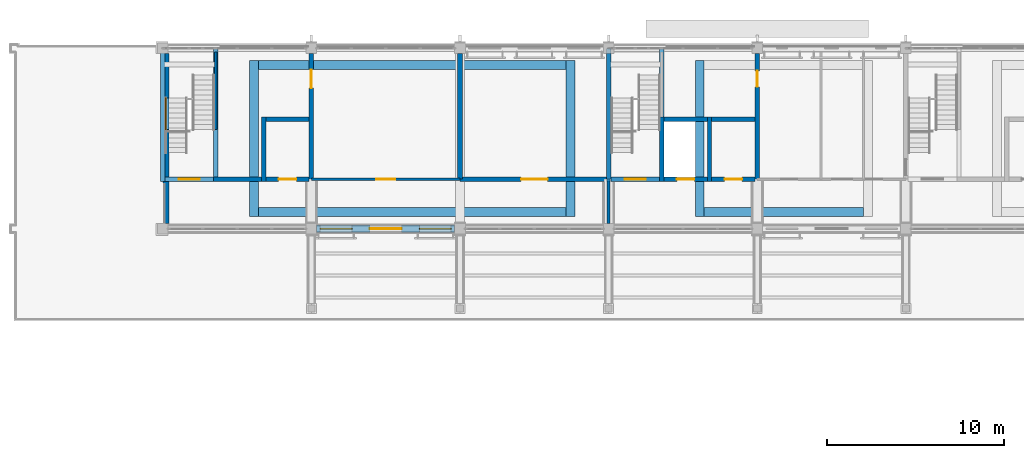
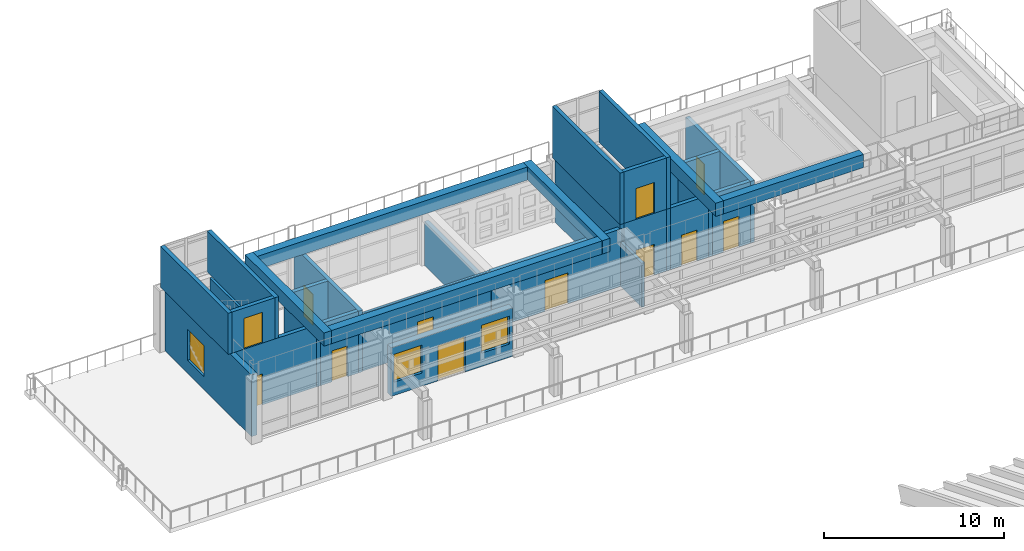
# One storey, part 58 of 105: 33 walls, 12 doors, 3 windows, 15 openings.
"""IFC4 building model written with IfcOpenShell, lengths in metres."""

from ifc_helpers import new_model, si_unit, direction, frame, frame_2d, origin, place, context, subcontext, project, spatial, rectangle, extrude, material, layer, layer_set, type_object, element, fill, save


model = new_model("IFC4")

# Units and contexts
model_context = context("Model", 3, precision=1e-05, world=origin(), true_north=direction((0.0, 1.0)))
body_context = subcontext(model_context, "Body", "Model", "MODEL_VIEW")
ifc_project = project(units=[si_unit("LENGTHUNIT", "METRE"), si_unit("AREAUNIT", "SQUARE_METRE"), si_unit("VOLUMEUNIT", "CUBIC_METRE"), si_unit("PLANEANGLEUNIT", "RADIAN"), si_unit("MASSUNIT", "GRAM", prefix="KILO")], contexts=[model_context])

# Site, building, storey
site_placement = place(None, origin())
site = spatial("IfcSite", under=ifc_project, at=site_placement, CompositionType="ELEMENT")
building_placement = place(site_placement, origin())
building = spatial("IfcBuilding", under=site, at=building_placement, Name="Wasatch Bagh Community Centre", CompositionType="ELEMENT")
storey_placement = place(building_placement, frame((0.0, 0.0, 16.800048828125)))
storey = spatial("IfcBuildingStorey", under=building, at=storey_placement, Name="L04", CompositionType="ELEMENT", Elevation=16.800048828125)

# Wall, opening, door
ifc_material_1 = material(Name="Concrete C40", Category="concrete")
ifc_layer_1 = layer(ifc_material_1, 0.25)
ifc_layer_set_1 = layer_set([ifc_layer_1], Name="Concrete C40")
wall_type_1 = type_object("IfcWallType", Name="LW core wall 250", PredefinedType="SHEAR", material=ifc_layer_set_1)
wall_1_placement = place(storey_placement, frame((81.14990234375, 90.39990234375, 0.0), z_axis=(0.0, 0.0, 1.0), x_axis=(1.0, 0.0, 0.0)))
wall_1 = element("IfcWall", 1, at=wall_1_placement, inside=storey, type_object=wall_type_1, Name="LW.swall.L04.01", PredefinedType="SHEAR", context=body_context, shape_type="SweptSolid", body=[
    extrude(rectangle(XDim=5.22509765625, YDim=0.25, at=frame_2d((2.612548828125, 0.0))), origin(), (0.0, 0.0, 1.0), 4.199951171875),
])
opening_1_placement = place(wall_1_placement, frame((0.550048828125, 0.0, 0.0)))
opening_1 = element("IfcOpeningElement", 2, at=opening_1_placement, cuts=wall_1, Name="Opening 4L-11", PredefinedType="OPENING", context=body_context, shape_type="SweptSolid", body=[
    extrude(rectangle(XDim=1.199951171875, YDim=2.10009765625, at=frame_2d((0.60009765625, 1.050048828125))), frame((0.0, 0.135009765625, 0.0), z_axis=(0.0, -1.0, 0.0), x_axis=(1.0, 0.0, 0.0)), (0.0, 0.0, 1.0), 0.27001953125),
])
ifc_material_2 = material(Name="Painted timber", Category="wood")
door_type_1 = type_object("IfcDoorType", Name="LW stair door 1200x2100", OperationType="SINGLE_SWING_LEFT", PredefinedType="DOOR", material=ifc_material_2)
door_1_placement = place(opening_1_placement, origin())
door_1 = element("IfcDoor", 3, at=door_1_placement, inside=storey, type_object=door_type_1, Name="Stair door 4L-11", OperationType="SINGLE_SWING_LEFT", OverallHeight=2.10009765625, OverallWidth=1.199951171875, PredefinedType="DOOR", context=body_context, shape_type="SweptSolid", body=[
    extrude(rectangle(XDim=1.199951171875, YDim=2.10009765625, at=frame_2d((0.60009765625, 1.050048828125))), frame((0.0, 0.02490234375, 0.0), z_axis=(0.0, -1.0, 0.0), x_axis=(1.0, 0.0, 0.0)), (0.0, 0.0, 1.0), 0.050048828125),
])
fill(opening_1, door_1)

wall_2_placement = place(storey_placement, frame((86.625, 90.39990234375, 0.0), z_axis=(0.0, 0.0, 1.0), x_axis=(1.0, 0.0, 0.0)))
wall_2 = element("IfcWall", 4, at=wall_2_placement, inside=storey, type_object=wall_type_1, Name="LW.swall.L04.02", PredefinedType="SHEAR", context=body_context, shape_type="SweptSolid", body=[
    extrude(rectangle(XDim=2.449951171875, YDim=0.25, at=frame_2d((1.22509765625, 0.0))), origin(), (0.0, 0.0, 1.0), 4.199951171875),
])
opening_2_placement = place(wall_2_placement, frame((0.72509765625, 0.0, 0.0)))
opening_2 = element("IfcOpeningElement", 5, at=opening_2_placement, cuts=wall_2, Name="Opening 4L-12", PredefinedType="OPENING", context=body_context, shape_type="SweptSolid", body=[
    extrude(rectangle(XDim=1.0, YDim=2.10009765625, at=frame_2d((0.5, 1.050048828125))), frame((0.0, 0.135009765625, 0.0), z_axis=(0.0, -1.0, 0.0), x_axis=(1.0, 0.0, 0.0)), (0.0, 0.0, 1.0), 0.27001953125),
])
ifc_material_3 = material(Name="Stainless steel landing door", Category="steel")
door_type_2 = type_object("IfcDoorType", Name="Lift landing door 1000 x 2100", OperationType="SLIDING_TO_LEFT", PredefinedType="DOOR", material=ifc_material_3)
door_2_placement = place(opening_2_placement, origin())
door_2 = element("IfcDoor", 6, at=door_2_placement, inside=storey, type_object=door_type_2, Name="Lift landing door LD 4L-12", OperationType="SLIDING_TO_LEFT", OverallHeight=2.10009765625, OverallWidth=1.0, PredefinedType="DOOR", context=body_context, shape_type="SweptSolid", body=[
    extrude(rectangle(XDim=1.0, YDim=2.10009765625, at=frame_2d((0.5, 1.050048828125))), frame((0.0, 0.02490234375, 0.0), z_axis=(0.0, -1.0, 0.0), x_axis=(1.0, 0.0, 0.0)), (0.0, 0.0, 1.0), 0.050048828125),
])
fill(opening_2, door_2)

wall_3_placement = place(storey_placement, frame((106.125, 90.39990234375, 0.0), z_axis=(0.0, 0.0, 1.0), x_axis=(1.0, 0.0, 0.0)))
wall_3 = element("IfcWall", 7, at=wall_3_placement, inside=storey, type_object=wall_type_1, Name="LW.swall.L04.03", PredefinedType="SHEAR", context=body_context, shape_type="SweptSolid", body=[
    extrude(rectangle(XDim=2.75, YDim=0.25, at=frame_2d((1.375, 0.0))), origin(), (0.0, 0.0, 1.0), 4.199951171875),
])
opening_3_placement = place(wall_3_placement, frame((0.77490234375, 0.0, 0.0)))
opening_3 = element("IfcOpeningElement", 8, at=opening_3_placement, cuts=wall_3, Name="Opening 4L-13", PredefinedType="OPENING", context=body_context, shape_type="SweptSolid", body=[
    extrude(rectangle(XDim=1.199951171875, YDim=2.10009765625, at=frame_2d((0.60009765625, 1.050048828125))), frame((0.0, 0.135009765625, 0.0), z_axis=(0.0, -1.0, 0.0), x_axis=(1.0, 0.0, 0.0)), (0.0, 0.0, 1.0), 0.27001953125),
])
door_3_placement = place(opening_3_placement, origin())
door_3 = element("IfcDoor", 9, at=door_3_placement, inside=storey, type_object=door_type_1, Name="Stair door 4L-13", OperationType="SINGLE_SWING_LEFT", OverallHeight=2.10009765625, OverallWidth=1.199951171875, PredefinedType="DOOR", context=body_context, shape_type="SweptSolid", body=[
    extrude(rectangle(XDim=1.199951171875, YDim=2.10009765625, at=frame_2d((0.60009765625, 1.050048828125))), frame((0.0, 0.02490234375, 0.0), z_axis=(0.0, -1.0, 0.0), x_axis=(1.0, 0.0, 0.0)), (0.0, 0.0, 1.0), 0.050048828125),
])
fill(opening_3, door_3)

wall_4_placement = place(storey_placement, frame((109.125, 90.39990234375, 0.0), z_axis=(0.0, 0.0, 1.0), x_axis=(1.0, 0.0, 0.0)))
wall_4 = element("IfcWall", 10, at=wall_4_placement, inside=storey, type_object=wall_type_1, Name="LW.swall.L04.04", PredefinedType="SHEAR", context=body_context, shape_type="SweptSolid", body=[
    extrude(rectangle(XDim=2.449951171875, YDim=0.25, at=frame_2d((1.22509765625, 0.0))), origin(), (0.0, 0.0, 1.0), 4.199951171875),
])
opening_4_placement = place(wall_4_placement, frame((0.72509765625, 0.0, 0.0)))
opening_4 = element("IfcOpeningElement", 11, at=opening_4_placement, cuts=wall_4, Name="Opening 4L-14", PredefinedType="OPENING", context=body_context, shape_type="SweptSolid", body=[
    extrude(rectangle(XDim=1.0, YDim=2.10009765625, at=frame_2d((0.5, 1.050048828125))), frame((0.0, 0.135009765625, 0.0), z_axis=(0.0, -1.0, 0.0), x_axis=(1.0, 0.0, 0.0)), (0.0, 0.0, 1.0), 0.27001953125),
])
door_4_placement = place(opening_4_placement, origin())
door_4 = element("IfcDoor", 12, at=door_4_placement, inside=storey, type_object=door_type_2, Name="Lift landing door LD 4L-14", OperationType="SLIDING_TO_LEFT", OverallHeight=2.10009765625, OverallWidth=1.0, PredefinedType="DOOR", context=body_context, shape_type="SweptSolid", body=[
    extrude(rectangle(XDim=1.0, YDim=2.10009765625, at=frame_2d((0.5, 1.050048828125))), frame((0.0, 0.02490234375, 0.0), z_axis=(0.0, -1.0, 0.0), x_axis=(1.0, 0.0, 0.0)), (0.0, 0.0, 1.0), 0.050048828125),
])
fill(opening_4, door_4)

wall_5_placement = place(storey_placement, frame((111.824951171875, 90.39990234375, 0.0), z_axis=(0.0, 0.0, 1.0), x_axis=(1.0, 0.0, 0.0)))
wall_5 = element("IfcWall", 13, at=wall_5_placement, inside=storey, type_object=wall_type_1, Name="LW.swall.L04.05", PredefinedType="SHEAR", context=body_context, shape_type="SweptSolid", body=[
    extrude(rectangle(XDim=2.449951171875, YDim=0.25, at=frame_2d((1.22509765625, 0.0))), origin(), (0.0, 0.0, 1.0), 4.199951171875),
])
opening_5_placement = place(wall_5_placement, frame((0.72509765625, 0.0, 0.0)))
opening_5 = element("IfcOpeningElement", 14, at=opening_5_placement, cuts=wall_5, Name="Opening 4L-15", PredefinedType="OPENING", context=body_context, shape_type="SweptSolid", body=[
    extrude(rectangle(XDim=1.0, YDim=2.10009765625, at=frame_2d((0.5, 1.050048828125))), frame((0.0, 0.135009765625, 0.0), z_axis=(0.0, -1.0, 0.0), x_axis=(1.0, 0.0, 0.0)), (0.0, 0.0, 1.0), 0.27001953125),
])
door_5_placement = place(opening_5_placement, origin())
door_5 = element("IfcDoor", 15, at=door_5_placement, inside=storey, type_object=door_type_2, Name="Lift landing door LD 4L-15", OperationType="SLIDING_TO_LEFT", OverallHeight=2.10009765625, OverallWidth=1.0, PredefinedType="DOOR", context=body_context, shape_type="SweptSolid", body=[
    extrude(rectangle(XDim=1.0, YDim=2.10009765625, at=frame_2d((0.5, 1.050048828125))), frame((0.0, 0.02490234375, 0.0), z_axis=(0.0, -1.0, 0.0), x_axis=(1.0, 0.0, 0.0)), (0.0, 0.0, 1.0), 0.050048828125),
])
fill(opening_5, door_5)

# Walls
for number, where, z_axis, x_axis, name in (
    (16, (86.625, 93.800048828125, 0.0), (0.0, 0.0, 1.0), (1.0, 0.0, 0.0), "LW.swall.L04.08"),
    (17, (109.125, 93.800048828125, 0.0), (0.0, 0.0, 1.0), (1.0, 0.0, 0.0), "LW.swall.L04.09"),
    (18, (111.824951171875, 93.800048828125, 0.0), (0.0, 0.0, 1.0), (1.0, 0.0, 0.0), "LW.swall.L04.10"),
):
    element("IfcWall", number, at=place(storey_placement, frame(where, z_axis=z_axis, x_axis=x_axis)), inside=storey, type_object=wall_type_1, Name=name, PredefinedType="SHEAR", context=body_context, shape_type="SweptSolid", body=[
        extrude(rectangle(XDim=2.449951171875, YDim=0.25, at=frame_2d((1.22509765625, 0.0))), origin(), (0.0, 0.0, 1.0), 4.199951171875),
    ])
wall_6_placement = place(storey_placement, frame((86.5, 90.27490234375, 0.0), z_axis=(0.0, 0.0, 1.0), x_axis=(0.0, 1.0, 0.0)))
element("IfcWall", 19, at=wall_6_placement, inside=storey, type_object=wall_type_1, Name="LW.swall.L04.13", PredefinedType="SHEAR", context=body_context, shape_type="SweptSolid", body=[
    extrude(rectangle(XDim=3.650146484375, YDim=0.25, at=frame_2d((1.8251953125, 0.0))), origin(), (0.0, 0.0, 1.0), 4.199951171875),
])

# Wall, opening, door
wall_7_placement = place(storey_placement, frame((89.199951171875, 90.27490234375, 0.0), z_axis=(0.0, 0.0, 1.0), x_axis=(0.0, 1.0, 0.0)))
wall_7 = element("IfcWall", 20, at=wall_7_placement, inside=storey, type_object=wall_type_1, Name="LW.swall.L04.14", PredefinedType="SHEAR", context=body_context, shape_type="SweptSolid", body=[
    extrude(rectangle(XDim=7.22509765625, YDim=0.25, at=frame_2d((3.612548828125, 0.0))), origin(), (0.0, 0.0, 1.0), 4.199951171875),
])
opening_6_placement = place(wall_7_placement, frame((5.27490234375, 0.0, 0.0)))
opening_6 = element("IfcOpeningElement", 21, at=opening_6_placement, cuts=wall_7, Name="Opening 4L-04", PredefinedType="OPENING", context=body_context, shape_type="SweptSolid", body=[
    extrude(rectangle(XDim=1.050048828125, YDim=2.10009765625, at=frame_2d((0.52490234375, 1.050048828125))), frame((0.0, 0.135009765625, 0.0), z_axis=(0.0, -1.0, 0.0), x_axis=(1.0, 0.0, 0.0)), (0.0, 0.0, 1.0), 0.27001953125),
])
door_type_3 = type_object("IfcDoorType", Name="LW classroom door 1050x2100", OperationType="SINGLE_SWING_LEFT", PredefinedType="DOOR", material=ifc_material_2)
door_6_placement = place(opening_6_placement, origin())
door_6 = element("IfcDoor", 22, at=door_6_placement, inside=storey, type_object=door_type_3, Name="Door Rooftop Studio 4L-04", OperationType="SINGLE_SWING_RIGHT", OverallHeight=2.10009765625, OverallWidth=1.050048828125, PredefinedType="DOOR", context=body_context, shape_type="SweptSolid", body=[
    extrude(rectangle(XDim=1.050048828125, YDim=2.10009765625, at=frame_2d((0.52490234375, 1.050048828125))), frame((0.0, 0.02490234375, 0.0), z_axis=(0.0, -1.0, 0.0), x_axis=(1.0, 0.0, 0.0)), (0.0, 0.0, 1.0), 0.050048828125),
])
fill(opening_6, door_6)

# Walls
wall_8_placement = place(storey_placement, frame((106.0, 90.27490234375, 0.0), z_axis=(0.0, 0.0, 1.0), x_axis=(0.0, 1.0, 0.0)))
element("IfcWall", 23, at=wall_8_placement, inside=storey, type_object=wall_type_1, Name="LW.swall.L04.15", PredefinedType="SHEAR", context=body_context, shape_type="SweptSolid", body=[
    extrude(rectangle(XDim=7.22509765625, YDim=0.25, at=frame_2d((3.612548828125, 0.0))), origin(), (0.0, 0.0, 1.0), 4.199951171875),
])
for number, where, z_axis, x_axis, name in (
    (24, (109.0, 90.27490234375, 0.0), (0.0, 0.0, 1.0), (0.0, 1.0, 0.0), "LW.swall.L04.16"),
    (25, (111.699951171875, 90.27490234375, 0.0), (0.0, 0.0, 1.0), (0.0, 1.0, 0.0), "LW.swall.L04.17"),
):
    element("IfcWall", number, at=place(storey_placement, frame(where, z_axis=z_axis, x_axis=x_axis)), inside=storey, type_object=wall_type_1, Name=name, PredefinedType="SHEAR", context=body_context, shape_type="SweptSolid", body=[
        extrude(rectangle(XDim=3.650146484375, YDim=0.25, at=frame_2d((1.8251953125, 0.0))), origin(), (0.0, 0.0, 1.0), 4.199951171875),
    ])

# Wall, opening, door
wall_9_placement = place(storey_placement, frame((114.39990234375, 90.27490234375, 0.0), z_axis=(0.0, 0.0, 1.0), x_axis=(0.0, 1.0, 0.0)))
wall_9 = element("IfcWall", 26, at=wall_9_placement, inside=storey, type_object=wall_type_1, Name="LW.swall.L04.18", PredefinedType="SHEAR", context=body_context, shape_type="SweptSolid", body=[
    extrude(rectangle(XDim=7.22509765625, YDim=0.25, at=frame_2d((3.612548828125, 0.0))), origin(), (0.0, 0.0, 1.0), 4.199951171875),
])
opening_7_placement = place(wall_9_placement, frame((5.35009765625, 0.0, 0.0)))
opening_7 = element("IfcOpeningElement", 27, at=opening_7_placement, cuts=wall_9, Name="Opening 4L-07", PredefinedType="OPENING", context=body_context, shape_type="SweptSolid", body=[
    extrude(rectangle(XDim=0.89990234375, YDim=2.10009765625, at=frame_2d((0.449951171875, 1.050048828125))), frame((0.0, 0.135009765625, 0.0), z_axis=(0.0, -1.0, 0.0), x_axis=(1.0, 0.0, 0.0)), (0.0, 0.0, 1.0), 0.27001953125),
])
door_type_4 = type_object("IfcDoorType", Name="LW WC door 900x2100", OperationType="SINGLE_SWING_LEFT", PredefinedType="DOOR", material=ifc_material_2)
door_7_placement = place(opening_7_placement, origin())
door_7 = element("IfcDoor", 28, at=door_7_placement, inside=storey, type_object=door_type_4, Name="Door Women's Toilets 4L-07", OperationType="SINGLE_SWING_LEFT", OverallHeight=2.10009765625, OverallWidth=0.89990234375, PredefinedType="DOOR", context=body_context, shape_type="SweptSolid", body=[
    extrude(rectangle(XDim=0.89990234375, YDim=2.10009765625, at=frame_2d((0.449951171875, 1.050048828125))), frame((0.0, 0.02490234375, 0.0), z_axis=(0.0, -1.0, 0.0), x_axis=(1.0, 0.0, 0.0)), (0.0, 0.0, 1.0), 0.050048828125),
])
fill(opening_7, door_7)

# Wall, opening, window
ifc_layer_2 = layer(ifc_material_1, 0.35009765625)
ifc_layer_set_2 = layer_set([ifc_layer_2], Name="Concrete C40")
wall_type_2 = type_object("IfcWallType", Name="LW end shear wall 350", PredefinedType="SHEAR", material=ifc_layer_set_2)
wall_10_placement = place(storey_placement, frame((80.97509765625, 87.89990234375, 0.0), z_axis=(0.0, 0.0, 1.0), x_axis=(0.0, 1.0, 0.0)))
wall_10 = element("IfcWall", 29, at=wall_10_placement, inside=storey, type_object=wall_type_2, Name="LW.swall.L04.12", PredefinedType="SHEAR", context=body_context, shape_type="SweptSolid", body=[
    extrude(rectangle(XDim=9.60009765625, YDim=0.35009765625, at=frame_2d((4.800048828125, 0.0))), origin(), (0.0, 0.0, 1.0), 4.199951171875),
])
opening_8_placement = place(wall_10_placement, frame((5.300048828125, 0.0, 0.89990234375)))
opening_8 = element("IfcOpeningElement", 30, at=opening_8_placement, cuts=wall_10, Name="Opening 4L-W011", PredefinedType="OPENING", context=body_context, shape_type="SweptSolid", body=[
    extrude(rectangle(XDim=1.800048828125, YDim=2.10009765625, at=frame_2d((0.89990234375, 1.050048828125))), frame((0.0, 0.18505859375, 0.0), z_axis=(0.0, -1.0, 0.0), x_axis=(1.0, 0.0, 0.0)), (0.0, 0.0, 1.0), 0.3701171875),
])
ifc_material_4 = material(Name="Aluminium framed double glazing", Category="aluminium")
window_type_1 = type_object("IfcWindowType", Name="LW window 1800x2100", PartitioningType="SINGLE_PANEL", PredefinedType="WINDOW", material=ifc_material_4)
window_1_placement = place(opening_8_placement, origin())
window_1 = element("IfcWindow", 31, at=window_1_placement, inside=storey, type_object=window_type_1, Name="Window 4L-W011", OverallHeight=2.10009765625, OverallWidth=1.800048828125, PartitioningType="SINGLE_PANEL", PredefinedType="WINDOW", context=body_context, shape_type="SweptSolid", body=[
    extrude(rectangle(XDim=1.800048828125, YDim=2.10009765625, at=frame_2d((0.89990234375, 1.050048828125))), frame((0.0, 0.030029296875, 0.0), z_axis=(0.0, -1.0, 0.0), x_axis=(1.0, 0.0, 0.0)), (0.0, 0.0, 1.0), 0.06005859375),
])
fill(opening_8, window_1)

# Wall, openings, door, windows
ifc_material_5 = material(Name="Concrete C35", Category="concrete")
ifc_layer_3 = layer(ifc_material_5, 0.39990234375)
ifc_layer_set_3 = layer_set([ifc_layer_3], Name="Concrete C35")
wall_type_3 = type_object("IfcWallType", Name="LW facade wall 400", PredefinedType="SOLIDWALL", material=ifc_layer_set_3)
wall_11_placement = place(storey_placement, frame((89.5, 87.60009765625, 0.0), z_axis=(0.0, 0.0, 1.0), x_axis=(1.0, 0.0, 0.0)))
wall_11 = element("IfcWall", 32, at=wall_11_placement, inside=storey, type_object=wall_type_3, Name="Facade wall", PredefinedType="SOLIDWALL", context=body_context, shape_type="SweptSolid", body=[
    extrude(rectangle(XDim=7.800048828125, YDim=0.39990234375, at=frame_2d((3.89990234375, 0.0))), origin(), (0.0, 0.0, 1.0), 3.300048828125),
])
opening_9_placement = place(wall_11_placement, frame((3.0, 0.0, 0.0)))
opening_9 = element("IfcOpeningElement", 33, at=opening_9_placement, cuts=wall_11, Name="Opening 4L-01", PredefinedType="OPENING", context=body_context, shape_type="SweptSolid", body=[
    extrude(rectangle(XDim=1.800048828125, YDim=2.39990234375, at=frame_2d((0.89990234375, 1.199951171875))), frame((0.0, 0.2099609375, 0.0), z_axis=(0.0, -1.0, 0.0), x_axis=(1.0, 0.0, 0.0)), (0.0, 0.0, 1.0), 0.419921875),
])
opening_10_placement = place(wall_11_placement, frame((0.199951171875, 0.0, 0.89990234375)))
opening_10 = element("IfcOpeningElement", 34, at=opening_10_placement, cuts=wall_11, Name="Opening 4L-W001", PredefinedType="OPENING", context=body_context, shape_type="SweptSolid", body=[
    extrude(rectangle(XDim=1.800048828125, YDim=1.89990234375, at=frame_2d((0.89990234375, 0.949951171875))), frame((0.0, 0.2099609375, 0.0), z_axis=(0.0, -1.0, 0.0), x_axis=(1.0, 0.0, 0.0)), (0.0, 0.0, 1.0), 0.419921875),
])
opening_11_placement = place(wall_11_placement, frame((5.800048828125, 0.0, 0.89990234375)))
opening_11 = element("IfcOpeningElement", 35, at=opening_11_placement, cuts=wall_11, Name="Opening 4L-W002", PredefinedType="OPENING", context=body_context, shape_type="SweptSolid", body=[
    extrude(rectangle(XDim=1.800048828125, YDim=1.89990234375, at=frame_2d((0.89990234375, 0.949951171875))), frame((0.0, 0.2099609375, 0.0), z_axis=(0.0, -1.0, 0.0), x_axis=(1.0, 0.0, 0.0)), (0.0, 0.0, 1.0), 0.419921875),
])
ifc_material_6 = material(Name="Aluminium framed glazed door", Category="aluminium")
door_type_5 = type_object("IfcDoorType", Name="LW terrace door pair 1800x2400", OperationType="DOUBLE_DOOR_SINGLE_SWING", PredefinedType="DOOR", material=ifc_material_6)
door_8_placement = place(opening_9_placement, origin())
door_8 = element("IfcDoor", 36, at=door_8_placement, inside=storey, type_object=door_type_5, Name="Terrace door 4L-01", OperationType="DOUBLE_DOOR_SINGLE_SWING", OverallHeight=2.39990234375, OverallWidth=1.800048828125, PredefinedType="DOOR", context=body_context, shape_type="SweptSolid", body=[
    extrude(rectangle(XDim=1.800048828125, YDim=2.39990234375, at=frame_2d((0.89990234375, 1.199951171875))), frame((0.0, 0.02490234375, 0.0), z_axis=(0.0, -1.0, 0.0), x_axis=(1.0, 0.0, 0.0)), (0.0, 0.0, 1.0), 0.050048828125),
])
fill(opening_9, door_8)
window_type_2 = type_object("IfcWindowType", Name="LW window 1800x1900", PartitioningType="SINGLE_PANEL", PredefinedType="WINDOW", material=ifc_material_4)
window_2_placement = place(opening_10_placement, origin())
window_2 = element("IfcWindow", 37, at=window_2_placement, inside=storey, type_object=window_type_2, Name="Window 4L-W001", OverallHeight=1.89990234375, OverallWidth=1.800048828125, PartitioningType="SINGLE_PANEL", PredefinedType="WINDOW", context=body_context, shape_type="SweptSolid", body=[
    extrude(rectangle(XDim=1.800048828125, YDim=1.89990234375, at=frame_2d((0.89990234375, 0.949951171875))), frame((0.0, 0.030029296875, 0.0), z_axis=(0.0, -1.0, 0.0), x_axis=(1.0, 0.0, 0.0)), (0.0, 0.0, 1.0), 0.06005859375),
])
fill(opening_10, window_2)
window_3_placement = place(opening_11_placement, origin())
window_3 = element("IfcWindow", 38, at=window_3_placement, inside=storey, type_object=window_type_2, Name="Window 4L-W002", OverallHeight=1.89990234375, OverallWidth=1.800048828125, PartitioningType="SINGLE_PANEL", PredefinedType="WINDOW", context=body_context, shape_type="SweptSolid", body=[
    extrude(rectangle(XDim=1.800048828125, YDim=1.89990234375, at=frame_2d((0.89990234375, 0.949951171875))), frame((0.0, 0.030029296875, 0.0), z_axis=(0.0, -1.0, 0.0), x_axis=(1.0, 0.0, 0.0)), (0.0, 0.0, 1.0), 0.06005859375),
])
fill(opening_11, window_3)

# Wall
ifc_material_7 = material(Name="Dense blockwork acoustic partition", Category="masonry")
ifc_layer_4 = layer(ifc_material_7, 0.175048828125)
ifc_layer_set_4 = layer_set([ifc_layer_4], Name="Dense blockwork acoustic partition")
wall_type_4 = type_object("IfcWallType", Name="LW library partition 175", PredefinedType="PARTITIONING", material=ifc_layer_set_4)
wall_12_placement = place(storey_placement, frame((106.0, 87.89990234375, 0.0), z_axis=(0.0, 0.0, 1.0), x_axis=(0.0, 1.0, 0.0)))
element("IfcWall", 39, at=wall_12_placement, inside=storey, type_object=wall_type_4, Name="LW.part.L04.005", PredefinedType="PARTITIONING", context=body_context, shape_type="SweptSolid", body=[
    extrude(rectangle(XDim=2.5, YDim=0.175048828125, at=frame_2d((1.25, 0.0))), origin(), (0.0, 0.0, 1.0), 3.0),
])

# Wall, opening, door
ifc_material_8 = material(Name="Gypsum board on steel studs", Category="steel")
ifc_layer_5 = layer(ifc_material_8, 0.14990234375)
ifc_layer_set_5 = layer_set([ifc_layer_5], Name="Gypsum board on steel studs")
wall_type_5 = type_object("IfcWallType", Name="LW partition 150", PredefinedType="PARTITIONING", material=ifc_layer_set_5)
wall_13_placement = place(storey_placement, frame((89.199951171875, 90.39990234375, 0.0), z_axis=(0.0, 0.0, 1.0), x_axis=(1.0, 0.0, 0.0)))
wall_13 = element("IfcWall", 40, at=wall_13_placement, inside=storey, type_object=wall_type_5, Name="LW.part.L04.002", PredefinedType="PARTITIONING", context=body_context, shape_type="SweptSolid", body=[
    extrude(rectangle(XDim=8.400146484375, YDim=0.14990234375, at=frame_2d((4.2001953125, 0.0))), origin(), (0.0, 0.0, 1.0), 3.89990234375),
])
opening_12_placement = place(wall_13_placement, frame((3.675048828125, 0.0, 0.0)))
opening_12 = element("IfcOpeningElement", 41, at=opening_12_placement, cuts=wall_13, Name="Opening 4L-03", PredefinedType="OPENING", context=body_context, shape_type="SweptSolid", body=[
    extrude(rectangle(XDim=1.050048828125, YDim=2.10009765625, at=frame_2d((0.52490234375, 1.050048828125))), frame((0.0, 0.0849609375, 0.0), z_axis=(0.0, -1.0, 0.0), x_axis=(1.0, 0.0, 0.0)), (0.0, 0.0, 1.0), 0.169921875),
])
door_9_placement = place(opening_12_placement, origin())
door_9 = element("IfcDoor", 42, at=door_9_placement, inside=storey, type_object=door_type_3, Name="Door Rooftop Studio 4L-03", OperationType="SINGLE_SWING_LEFT", OverallHeight=2.10009765625, OverallWidth=1.050048828125, PredefinedType="DOOR", context=body_context, shape_type="SweptSolid", body=[
    extrude(rectangle(XDim=1.050048828125, YDim=2.10009765625, at=frame_2d((0.52490234375, 1.050048828125))), frame((0.0, 0.02490234375, 0.0), z_axis=(0.0, -1.0, 0.0), x_axis=(1.0, 0.0, 0.0)), (0.0, 0.0, 1.0), 0.050048828125),
])
fill(opening_12, door_9)

# Wall
wall_14_placement = place(storey_placement, frame((83.800048828125, 93.199951171875, 0.0), z_axis=(0.0, 0.0, 1.0), x_axis=(0.0, 1.0, 0.0)))
element("IfcWall", 43, at=wall_14_placement, inside=storey, type_object=wall_type_5, Name="Stair compartment wall", PredefinedType="PARTITIONING", context=body_context, shape_type="SweptSolid", body=[
    extrude(rectangle(XDim=4.400146484375, YDim=0.14990234375, at=frame_2d((2.2001953125, 0.0))), origin(), (0.0, 0.0, 1.0), 3.89990234375),
])

# Wall, opening, door
ifc_layer_6 = layer(ifc_material_7, 0.260009765625)
ifc_layer_set_6 = layer_set([ifc_layer_6], Name="Dense blockwork acoustic partition")
wall_type_6 = type_object("IfcWallType", Name="LW plant room partition 260", PredefinedType="PARTITIONING", material=ifc_layer_set_6)
wall_15_placement = place(storey_placement, frame((97.60009765625, 90.39990234375, 0.0), z_axis=(0.0, 0.0, 1.0), x_axis=(1.0, 0.0, 0.0)))
wall_15 = element("IfcWall", 44, at=wall_15_placement, inside=storey, type_object=wall_type_6, Name="LW.part.L04.001", PredefinedType="PARTITIONING", context=body_context, shape_type="SweptSolid", body=[
    extrude(rectangle(XDim=8.39990234375, YDim=0.260009765625, at=frame_2d((4.199951171875, 0.0))), origin(), (0.0, 0.0, 1.0), 3.89990234375),
])
opening_13_placement = place(wall_15_placement, frame((3.449951171875, 0.0, 0.0)))
opening_13 = element("IfcOpeningElement", 45, at=opening_13_placement, cuts=wall_15, Name="Opening 4L-05", PredefinedType="OPENING", context=body_context, shape_type="SweptSolid", body=[
    extrude(rectangle(XDim=1.5, YDim=2.10009765625, at=frame_2d((0.75, 1.050048828125))), frame((0.0, 0.139892578125, 0.0), z_axis=(0.0, -1.0, 0.0), x_axis=(1.0, 0.0, 0.0)), (0.0, 0.0, 1.0), 0.280029296875),
])
door_type_6 = type_object("IfcDoorType", Name="LW plant door pair 1500x2400", OperationType="DOUBLE_DOOR_SINGLE_SWING", PredefinedType="DOOR", material=ifc_material_2)
door_10_placement = place(opening_13_placement, origin())
door_10 = element("IfcDoor", 46, at=door_10_placement, inside=storey, type_object=door_type_6, Name="Door Rooftop Plant Room 4L-05", OperationType="DOUBLE_DOOR_SINGLE_SWING", OverallHeight=2.10009765625, OverallWidth=1.5, PredefinedType="DOOR", context=body_context, shape_type="SweptSolid", body=[
    extrude(rectangle(XDim=1.5, YDim=2.10009765625, at=frame_2d((0.75, 1.050048828125))), frame((0.0, 0.02490234375, 0.0), z_axis=(0.0, -1.0, 0.0), x_axis=(1.0, 0.0, 0.0)), (0.0, 0.0, 1.0), 0.050048828125),
])
fill(opening_13, door_10)

# Walls
wall_16_placement = place(storey_placement, frame((97.60009765625, 90.39990234375, 0.0), z_axis=(0.0, 0.0, 1.0), x_axis=(0.0, 1.0, 0.0)))
element("IfcWall", 47, at=wall_16_placement, inside=storey, type_object=wall_type_6, Name="LW.part.L04.004", PredefinedType="PARTITIONING", context=body_context, shape_type="SweptSolid", body=[
    extrude(rectangle(XDim=7.10009765625, YDim=0.260009765625, at=frame_2d((3.550048828125, 0.0))), origin(), (0.0, 0.0, 1.0), 3.0),
])
ifc_layer_7 = layer(ifc_material_5, 0.5)
ifc_layer_set_7 = layer_set([ifc_layer_7], Name="Concrete C35")
wall_type_7 = type_object("IfcWallType", Name="LW planter trough wall 500", PredefinedType="SOLIDWALL", material=ifc_layer_set_7)
wall_17_placement = place(storey_placement, frame((111.39990234375, 88.550048828125, 4.199951171875), z_axis=(0.0, 0.0, 1.0), x_axis=(1.0, 0.0, 0.0)))
element("IfcWall", 48, at=wall_17_placement, inside=storey, type_object=wall_type_7, Name="Planter wall T5", PredefinedType="SOLIDWALL", context=body_context, shape_type="SweptSolid", body=[
    extrude(rectangle(XDim=9.0, YDim=0.5, at=frame_2d((4.5, 0.0))), origin(), (0.0, 0.0, 1.0), 0.89990234375),
])
wall_18_placement = place(storey_placement, frame((111.14990234375, 88.300048828125, 4.199951171875), z_axis=(0.0, 0.0, 1.0), x_axis=(0.0, 1.0, 0.0)))
element("IfcWall", 49, at=wall_18_placement, inside=storey, type_object=wall_type_7, Name="Planter wall T5", PredefinedType="SOLIDWALL", context=body_context, shape_type="SweptSolid", body=[
    extrude(rectangle(XDim=8.800048828125, YDim=0.5, at=frame_2d((4.39990234375, 0.0))), origin(), (0.0, 0.0, 1.0), 0.89990234375),
])
for number, where, z_axis, x_axis, name in (
    (50, (86.199951171875, 88.550048828125, 4.199951171875), (0.0, 0.0, 1.0), (1.0, 0.0, 0.0), "Planter wall T5"),
    (51, (86.199951171875, 96.85009765625, 4.199951171875), (0.0, 0.0, 1.0), (1.0, 0.0, 0.0), "Planter wall T5"),
):
    element("IfcWall", number, at=place(storey_placement, frame(where, z_axis=z_axis, x_axis=x_axis)), inside=storey, type_object=wall_type_7, Name=name, PredefinedType="SOLIDWALL", context=body_context, shape_type="SweptSolid", body=[
        extrude(rectangle(XDim=17.400146484375, YDim=0.5, at=frame_2d((8.7001953125, 0.0))), origin(), (0.0, 0.0, 1.0), 0.89990234375),
    ])
for number, where, z_axis, x_axis, name in (
    (52, (85.949951171875, 88.300048828125, 4.199951171875), (0.0, 0.0, 1.0), (0.0, 1.0, 0.0), "Planter wall T5"),
    (53, (103.85009765625, 88.300048828125, 4.199951171875), (0.0, 0.0, 1.0), (0.0, 1.0, 0.0), "Planter wall T5"),
):
    element("IfcWall", number, at=place(storey_placement, frame(where, z_axis=z_axis, x_axis=x_axis)), inside=storey, type_object=wall_type_7, Name=name, PredefinedType="SOLIDWALL", context=body_context, shape_type="SweptSolid", body=[
        extrude(rectangle(XDim=8.800048828125, YDim=0.5, at=frame_2d((4.39990234375, 0.0))), origin(), (0.0, 0.0, 1.0), 0.89990234375),
    ])
ifc_layer_8 = layer(ifc_material_1, 0.25)
ifc_layer_set_8 = layer_set([ifc_layer_8], Name="Concrete C40")
wall_type_8 = type_object("IfcWallType", Name="LW stair head house wall 250", PredefinedType="SHEAR", material=ifc_layer_set_8)
for number, where, z_axis, x_axis, name in (
    (54, (80.800048828125, 90.27490234375, 4.199951171875), (0.0, 0.0, 1.0), (0.0, 1.0, 0.0), "Stair head house wall"),
    (55, (83.800048828125, 90.27490234375, 4.199951171875), (0.0, 0.0, 1.0), (0.0, 1.0, 0.0), "Stair head house wall"),
):
    element("IfcWall", number, at=place(storey_placement, frame(where, z_axis=z_axis, x_axis=x_axis)), inside=storey, type_object=wall_type_8, Name=name, PredefinedType="SHEAR", context=body_context, shape_type="SweptSolid", body=[
        extrude(rectangle(XDim=7.525146484375, YDim=0.25, at=frame_2d((3.7626953125, 0.0))), origin(), (0.0, 0.0, 1.0), 2.800048828125),
    ])

# Wall, opening, door
wall_19_placement = place(storey_placement, frame((80.925048828125, 90.39990234375, 4.199951171875), z_axis=(0.0, 0.0, 1.0), x_axis=(1.0, 0.0, 0.0)))
wall_19 = element("IfcWall", 56, at=wall_19_placement, inside=storey, type_object=wall_type_8, Name="Stair head house wall", PredefinedType="SHEAR", context=body_context, shape_type="SweptSolid", body=[
    extrude(rectangle(XDim=2.75, YDim=0.25, at=frame_2d((1.375, 0.0))), origin(), (0.0, 0.0, 1.0), 2.800048828125),
])
opening_14_placement = place(wall_19_placement, frame((0.77490234375, 0.0, 0.0)))
opening_14 = element("IfcOpeningElement", 57, at=opening_14_placement, cuts=wall_19, Name="Opening 4L-18", PredefinedType="OPENING", context=body_context, shape_type="SweptSolid", body=[
    extrude(rectangle(XDim=1.199951171875, YDim=2.10009765625, at=frame_2d((0.60009765625, 1.050048828125))), frame((0.0, 0.135009765625, 0.0), z_axis=(0.0, -1.0, 0.0), x_axis=(1.0, 0.0, 0.0)), (0.0, 0.0, 1.0), 0.27001953125),
])
door_11_placement = place(opening_14_placement, origin())
door_11 = element("IfcDoor", 58, at=door_11_placement, inside=storey, type_object=door_type_1, Name="Roof door 4L-18", OperationType="SINGLE_SWING_RIGHT", OverallHeight=2.10009765625, OverallWidth=1.199951171875, PredefinedType="DOOR", context=body_context, shape_type="SweptSolid", body=[
    extrude(rectangle(XDim=1.199951171875, YDim=2.10009765625, at=frame_2d((0.60009765625, 1.050048828125))), frame((0.0, 0.02490234375, 0.0), z_axis=(0.0, -1.0, 0.0), x_axis=(1.0, 0.0, 0.0)), (0.0, 0.0, 1.0), 0.050048828125),
])
fill(opening_14, door_11)

# Walls
for number, where, z_axis, x_axis, name in (
    (59, (106.0, 90.27490234375, 4.199951171875), (0.0, 0.0, 1.0), (0.0, 1.0, 0.0), "Stair head house wall"),
    (60, (109.0, 90.27490234375, 4.199951171875), (0.0, 0.0, 1.0), (0.0, 1.0, 0.0), "Stair head house wall"),
):
    element("IfcWall", number, at=place(storey_placement, frame(where, z_axis=z_axis, x_axis=x_axis)), inside=storey, type_object=wall_type_8, Name=name, PredefinedType="SHEAR", context=body_context, shape_type="SweptSolid", body=[
        extrude(rectangle(XDim=7.525146484375, YDim=0.25, at=frame_2d((3.7626953125, 0.0))), origin(), (0.0, 0.0, 1.0), 3.5),
    ])

# Wall, opening, door
wall_20_placement = place(storey_placement, frame((106.125, 90.39990234375, 4.199951171875), z_axis=(0.0, 0.0, 1.0), x_axis=(1.0, 0.0, 0.0)))
wall_20 = element("IfcWall", 61, at=wall_20_placement, inside=storey, type_object=wall_type_8, Name="Stair head house wall", PredefinedType="SHEAR", context=body_context, shape_type="SweptSolid", body=[
    extrude(rectangle(XDim=2.75, YDim=0.25, at=frame_2d((1.375, 0.0))), origin(), (0.0, 0.0, 1.0), 3.5),
])
opening_15_placement = place(wall_20_placement, frame((0.77490234375, 0.0, 0.0)))
opening_15 = element("IfcOpeningElement", 62, at=opening_15_placement, cuts=wall_20, Name="Opening 4L-19", PredefinedType="OPENING", context=body_context, shape_type="SweptSolid", body=[
    extrude(rectangle(XDim=1.199951171875, YDim=2.10009765625, at=frame_2d((0.60009765625, 1.050048828125))), frame((0.0, 0.135009765625, 0.0), z_axis=(0.0, -1.0, 0.0), x_axis=(1.0, 0.0, 0.0)), (0.0, 0.0, 1.0), 0.27001953125),
])
door_12_placement = place(opening_15_placement, origin())
door_12 = element("IfcDoor", 63, at=door_12_placement, inside=storey, type_object=door_type_1, Name="Roof door 4L-19", OperationType="SINGLE_SWING_RIGHT", OverallHeight=2.10009765625, OverallWidth=1.199951171875, PredefinedType="DOOR", context=body_context, shape_type="SweptSolid", body=[
    extrude(rectangle(XDim=1.199951171875, YDim=2.10009765625, at=frame_2d((0.60009765625, 1.050048828125))), frame((0.0, 0.02490234375, 0.0), z_axis=(0.0, -1.0, 0.0), x_axis=(1.0, 0.0, 0.0)), (0.0, 0.0, 1.0), 0.050048828125),
])
fill(opening_15, door_12)

save(model, "model.ifc")
